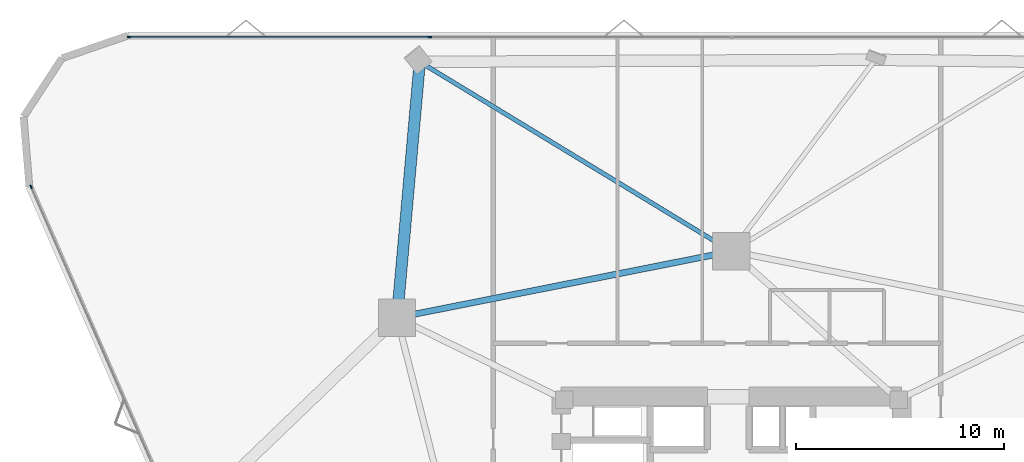
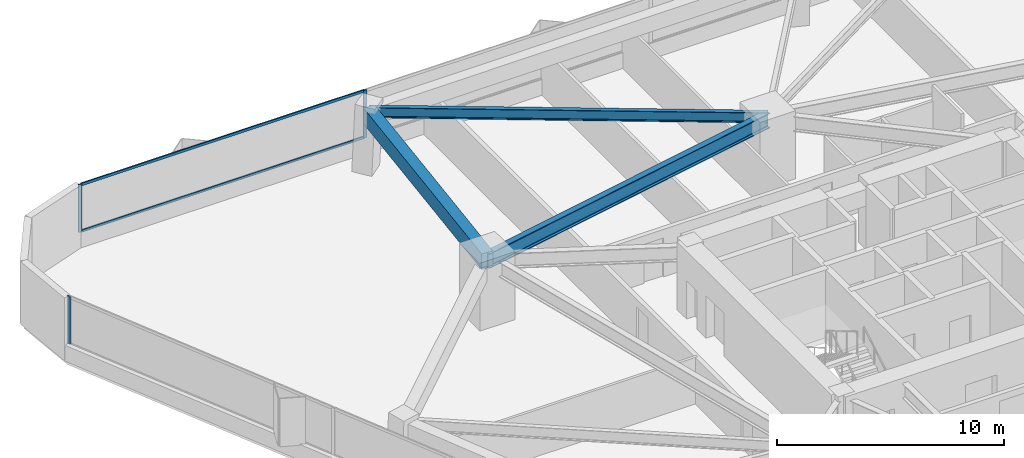
# One storey, part 11 of 20: 5 members, 3 beams, 2 elements without a shape of their own.
"""IFC4 building model written with IfcOpenShell, lengths in metres."""

from ifc_helpers import new_model, si_unit, direction, frame, origin, origin_2d, place, context, subcontext, project, spatial, rectangle, i_section, extrude, material, layer, layer_set, material_profile, profile_set, type_object, element, aggregate, save


model = new_model("IFC4")

# Units and contexts
model_context = context("Model", 3, precision=1e-05, world=origin(), true_north=direction((0.0, 1.0)))
body_context = subcontext(model_context, "Body", "Model", "MODEL_VIEW")
ifc_project = project(units=[si_unit("LENGTHUNIT", "METRE"), si_unit("AREAUNIT", "SQUARE_METRE"), si_unit("VOLUMEUNIT", "CUBIC_METRE"), si_unit("PLANEANGLEUNIT", "RADIAN"), si_unit("MASSUNIT", "GRAM", prefix="KILO")], contexts=[model_context])

# Site, building, storey
site_placement = place(None, origin())
site = spatial("IfcSite", under=ifc_project, at=site_placement, CompositionType="ELEMENT")
building_placement = place(site_placement, origin())
building = spatial("IfcBuilding", under=site, at=building_placement, Name="Talyreon Biosciences Tower", CompositionType="ELEMENT")
storey_placement = place(building_placement, frame((0.0, 0.0, 37.39990234375)))
storey = spatial("IfcBuildingStorey", under=building, at=storey_placement, Name="L09", CompositionType="ELEMENT", Elevation=37.39990234375)

# Curtain wall, member
ifc_material_1 = material(Name="Thermally broken aluminium and low-E glazing", Category="aluminium")
ifc_layer = layer(ifc_material_1, 0.195068359375)
ifc_layer_set = layer_set([ifc_layer], Name="Thermally broken aluminium and low-E glazing")
curtain_wall_type = type_object("IfcCurtainWallType", Name="CurtainWall_Zone1WetLab", PredefinedType="NOTDEFINED", material=ifc_layer_set)
curtain_wall_1_placement = place(storey_placement, origin())
curtain_wall_1 = element("IfcCurtainWall", 1, at=curtain_wall_1_placement, inside=storey, type_object=curtain_wall_type, Name="L09 Unitised Curtain Wall FCW-L09-00", PredefinedType="NOTDEFINED")
ifc_material_2 = material(Name="Anodised thermally broken aluminium", Category="aluminium")
ifc_material_profile_1 = material_profile(ifc_material_2, rectangle(XDim=0.06494140625, YDim=0.179931640625, at=origin_2d()), Name="ALUM MULLION 65x180")
ifc_profile_set_1 = profile_set([ifc_material_profile_1], Name="Anodised thermally broken aluminium")
member_type_1 = type_object("IfcMemberType", Name="CWMullion_65x180", PredefinedType="MULLION", material=ifc_profile_set_1)
member_1_placement = place(storey_placement, frame((32.277099609375, 84.9033203125, 0.81005859375), z_axis=(0.0, 0.0, 1.0), x_axis=(-0.915980408101, -0.401222995321, 0.0)))
member_1 = element("IfcMember", 2, at=member_1_placement, type_object=member_type_1, Name="CW2 mullion 6", PredefinedType="MULLION", context=body_context, shape_type="SweptSolid", body=[
    extrude(rectangle(XDim=0.06494140625, YDim=0.179931640625, at=origin_2d()), origin(), (0.0, 0.0, 1.0), 2.56494140625),
])
aggregate(curtain_wall_1, [member_1])

# Curtain wall, members
curtain_wall_2_placement = place(storey_placement, origin())
curtain_wall_2 = element("IfcCurtainWall", 3, at=curtain_wall_2_placement, inside=storey, type_object=curtain_wall_type, Name="L09 Unitised Curtain Wall FCW-L09-04", PredefinedType="NOTDEFINED")
member_2_placement = place(storey_placement, frame((36.986328125, 92.107421875, 0.81005859375), z_axis=(0.0, 0.0, 1.0), x_axis=(0.0, 1.0, 0.0)))
member_2 = element("IfcMember", 4, at=member_2_placement, type_object=member_type_1, Name="CW2 mullion 1", PredefinedType="MULLION", context=body_context, shape_type="SweptSolid", body=[
    extrude(rectangle(XDim=0.06494140625, YDim=0.179931640625, at=origin_2d()), origin(), (0.0, 0.0, 1.0), 2.56494140625),
])
member_3_placement = place(storey_placement, frame((51.47705078125, 92.107421875, 0.81005859375), z_axis=(0.0, 0.0, 1.0), x_axis=(0.0, 1.0, 0.0)))
member_3 = element("IfcMember", 5, at=member_3_placement, type_object=member_type_1, Name="CW2 mullion 2", PredefinedType="MULLION", context=body_context, shape_type="SweptSolid", body=[
    extrude(rectangle(XDim=0.06494140625, YDim=0.179931640625, at=origin_2d()), origin(), (0.0, 0.0, 1.0), 2.56494140625),
])
ifc_material_profile_2 = material_profile(ifc_material_2, rectangle(XDim=0.06494140625, YDim=0.139892578125, at=origin_2d()), Name="ALUM TRANSOM 65x140")
ifc_profile_set_2 = profile_set([ifc_material_profile_2], Name="Anodised thermally broken aluminium")
member_type_2 = type_object("IfcMemberType", Name="CWTransom_65x140", PredefinedType="USERDEFINED", material=ifc_profile_set_2)
member_4_placement = place(storey_placement, frame((37.018798828125, 92.107421875, 0.842529296875), z_axis=(1.0, 0.0, 0.0), x_axis=(0.0, 1.0, 0.0)))
member_4 = element("IfcMember", 6, at=member_4_placement, type_object=member_type_2, Name="CW2 transom 1.1", ObjectType="TRANSOM", PredefinedType="USERDEFINED", context=body_context, shape_type="SweptSolid", body=[
    extrude(rectangle(XDim=0.06494140625, YDim=0.139892578125, at=origin_2d()), origin(), (0.0, 0.0, 1.0), 14.425537109375),
])
member_5_placement = place(storey_placement, frame((37.018798828125, 92.107421875, 3.342529296875), z_axis=(1.0, 0.0, 0.0), x_axis=(0.0, 1.0, 0.0)))
member_5 = element("IfcMember", 7, at=member_5_placement, type_object=member_type_2, Name="CW2 transom 1.2", ObjectType="TRANSOM", PredefinedType="USERDEFINED", context=body_context, shape_type="SweptSolid", body=[
    extrude(rectangle(XDim=0.06494140625, YDim=0.139892578125, at=origin_2d()), origin(), (0.0, 0.0, 1.0), 14.425537109375),
])
aggregate(curtain_wall_2, [member_2, member_3, member_4, member_5])

# Beams
ifc_material_3 = material(Name="Precast concrete C45/55", Category="concrete")
ifc_material_profile_3 = material_profile(ifc_material_3, rectangle(XDim=0.550048828125, YDim=0.85009765625, at=origin_2d()), Name="RCB 550x850")
ifc_profile_set_3 = profile_set([ifc_material_profile_3], Name="Precast concrete C45/55")
beam_type_1 = type_object("IfcBeamType", Name="ExpressedSpandrel_550x850", PredefinedType="SPANDREL", material=ifc_profile_set_3)
beam_1_placement = place(storey_placement, frame((50.993896484375, 90.915283203125, 2.9501953125), z_axis=(-0.088650359758, -0.99606280611, 0.0), x_axis=(0.99606280611, -0.088650359758, 0.0)))
element("IfcBeam", 8, at=beam_1_placement, inside=storey, type_object=beam_type_1, Name="L09 Expressed Horizontal Concrete Spandrel 08", PredefinedType="SPANDREL", context=body_context, shape_type="SweptSolid", body=[
    extrude(rectangle(XDim=0.550048828125, YDim=0.85009765625, at=origin_2d()), origin(), (0.0, 0.0, 1.0), 12.365234375),
])
ifc_material_4 = material(Name="Steel SM355", Category="steel")
ifc_material_profile_4 = material_profile(ifc_material_4, i_section(OverallWidth=0.300048828125, OverallDepth=0.800048828125, WebThickness=0.017578125, FlangeThickness=0.032958984375, FilletRadius=0.030029296875, at=origin_2d()), Name="HE800B")
ifc_profile_set_4 = profile_set([ifc_material_profile_4], Name="Steel SM355")
beam_type_2 = type_object("IfcBeamType", Name="SteelGirder_HE800B", PredefinedType="BEAM", material=ifc_profile_set_4)
beam_2_placement = place(storey_placement, frame((66.0, 81.788818359375, 2.97509765625), z_axis=(-0.980933730698, -0.194342522311, 0.0), x_axis=(0.194342522311, -0.980933730698, 0.0)))
element("IfcBeam", 9, at=beam_2_placement, inside=storey, type_object=beam_type_2, Name="L09 Mega-Ring Girder 4", PredefinedType="BEAM", context=body_context, shape_type="SweptSolid", body=[
    extrude(i_section(OverallWidth=0.300048828125, OverallDepth=0.800048828125, WebThickness=0.017578125, FlangeThickness=0.032958984375, FilletRadius=0.030029296875, at=origin_2d()), origin(), (0.0, 0.0, 1.0), 16.415283203125),
])
ifc_material_profile_5 = material_profile(ifc_material_4, i_section(OverallWidth=0.2099609375, OverallDepth=0.550048828125, WebThickness=0.010986328125, FlangeThickness=0.01708984375, FilletRadius=0.02392578125, at=origin_2d()), Name="IPE550")
ifc_profile_set_5 = profile_set([ifc_material_profile_5], Name="Steel SM355")
beam_type_3 = type_object("IfcBeamType", Name="SteelJoist_IPE550", PredefinedType="JOIST", material=ifc_profile_set_5)
beam_3_placement = place(storey_placement, frame((66.0, 81.788818359375, 3.10009765625), z_axis=(-0.854392834207, 0.519627640581, 0.0), x_axis=(-0.519627640581, -0.854392834207, 0.0)))
element("IfcBeam", 10, at=beam_3_placement, inside=storey, type_object=beam_type_3, Name="L09 Radial Composite Floor Joist PC-N2", PredefinedType="JOIST", context=body_context, shape_type="SweptSolid", body=[
    extrude(i_section(OverallWidth=0.2099609375, OverallDepth=0.550048828125, WebThickness=0.010986328125, FlangeThickness=0.01708984375, FilletRadius=0.02392578125, at=origin_2d()), origin(), (0.0, 0.0, 1.0), 17.5634765625),
])

save(model, "model.ifc")
